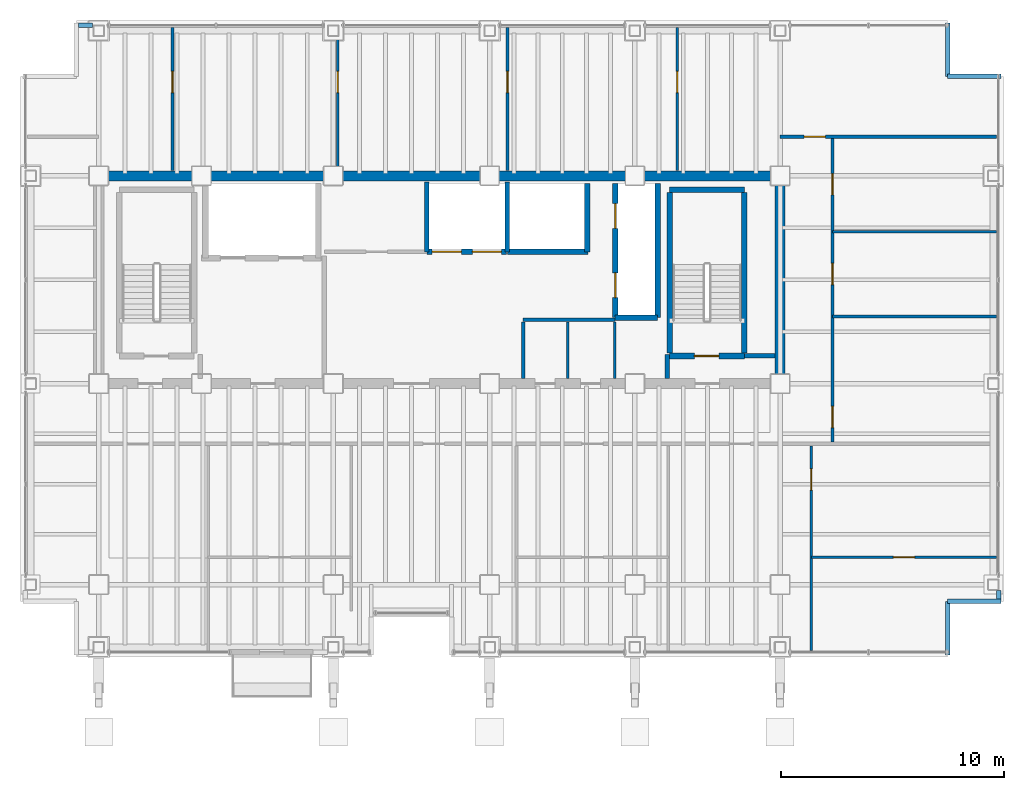
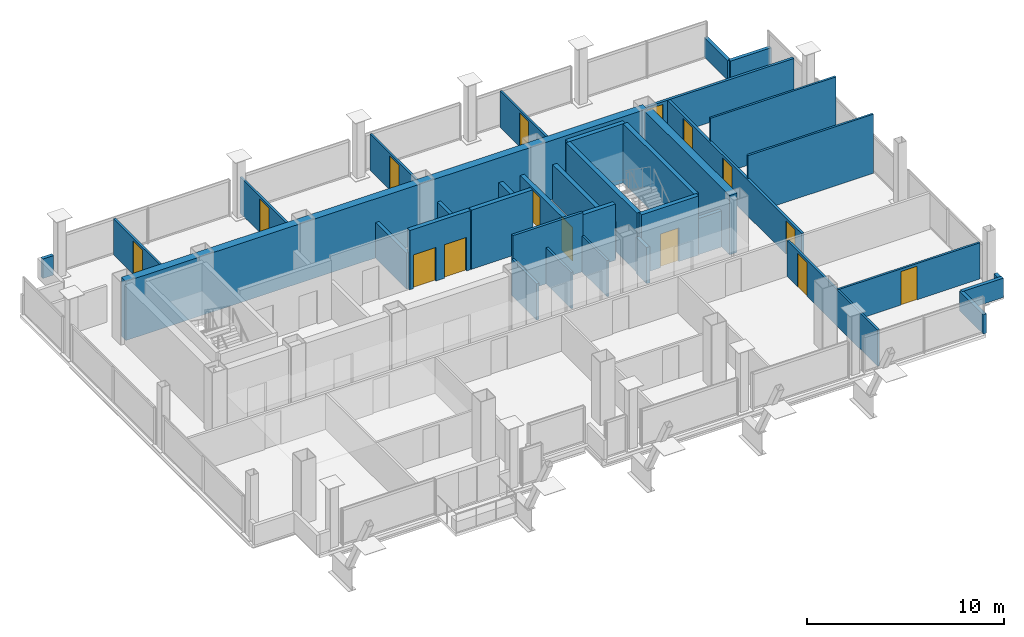
# One storey, part 14 of 16: 36 walls, 15 doors, 15 openings.
"""IFC4 building model written with IfcOpenShell, lengths in metres."""

from ifc_helpers import new_model, si_unit, direction, frame, frame_2d, origin, place, context, subcontext, project, spatial, rectangle, extrude, material, layer, layer_set, type_object, element, fill, save


model = new_model("IFC4")

# Units and contexts
model_context = context("Model", 3, precision=1e-05, world=origin(), true_north=direction((0.0, 1.0)))
body_context = subcontext(model_context, "Body", "Model", "MODEL_VIEW")
ifc_project = project(units=[si_unit("LENGTHUNIT", "METRE"), si_unit("AREAUNIT", "SQUARE_METRE"), si_unit("VOLUMEUNIT", "CUBIC_METRE"), si_unit("PLANEANGLEUNIT", "RADIAN"), si_unit("MASSUNIT", "GRAM", prefix="KILO")], contexts=[model_context])

# Site, building, storey
site_placement = place(None, origin())
site = spatial("IfcSite", under=ifc_project, at=site_placement, CompositionType="ELEMENT")
building_placement = place(site_placement, origin())
building = spatial("IfcBuilding", under=site, at=building_placement, Name="Noeulbin Bourse Tower", CompositionType="ELEMENT")
storey_placement = place(building_placement, frame((0.0, 0.0, 192.89990234375)))
storey = spatial("IfcBuildingStorey", under=building, at=storey_placement, Name="L48", CompositionType="ELEMENT", Elevation=192.89990234375)

# Walls
ifc_material_1 = material(Name="Concrete C50/60", Category="concrete")
ifc_layer_1 = layer(ifc_material_1, 0.449951171875)
ifc_layer_set_1 = layer_set([ifc_layer_1], Name="Concrete C50/60")
wall_type_1 = type_object("IfcWallType", Name="WAL-CORE-450", PredefinedType="SHEAR", material=ifc_layer_set_1)
wall_1_placement = place(storey_placement, frame((13.5, 38.300048828125, 0.0), z_axis=(0.0, 0.0, 1.0), x_axis=(1.0, 0.0, 0.0)))
element("IfcWall", 1, at=wall_1_placement, inside=storey, type_object=wall_type_1, Name="Rear Core North Shear Wall L48", PredefinedType="SHEAR", context=body_context, shape_type="SweptSolid", body=[
    extrude(rectangle(XDim=30.5, YDim=0.449951171875, at=frame_2d((15.25, 0.0))), origin(), (0.0, 0.0, 1.0), 3.66015625),
])
wall_2_placement = place(storey_placement, frame((44.0, 29.35009765625, 0.0), z_axis=(0.0, 0.0, 1.0), x_axis=(0.0, 1.0, 0.0)))
element("IfcWall", 2, at=wall_2_placement, inside=storey, type_object=wall_type_1, Name="Rear Core East Shear Wall L48", PredefinedType="SHEAR", context=body_context, shape_type="SweptSolid", body=[
    extrude(rectangle(XDim=8.599853515625, YDim=0.449951171875, at=frame_2d((4.2998046875, 0.0))), origin(), (0.0, 0.0, 1.0), 3.66015625),
])
ifc_material_2 = material(Name="Concrete C40/50", Category="concrete")
ifc_layer_2 = layer(ifc_material_2, 0.199951171875)
ifc_layer_set_2 = layer_set([ifc_layer_2], Name="Concrete C40/50")
wall_type_2 = type_object("IfcWallType", Name="WAL-FIRE-200", PredefinedType="STANDARD", material=ifc_layer_set_2)
wall_3_placement = place(storey_placement, frame((42.39990234375, 30.239990234375, 0.0), z_axis=(0.0, 0.0, 1.0), x_axis=(1.0, 0.0, 0.0)))
element("IfcWall", 3, at=wall_3_placement, inside=storey, type_object=wall_type_2, Name="Interior Partition Wall L48-01", PredefinedType="STANDARD", context=body_context, shape_type="SweptSolid", body=[
    extrude(rectangle(XDim=1.364990234375, YDim=0.199951171875, at=frame_2d((0.6826171875, 0.0))), origin(), (0.0, 0.0, 1.0), 2.239990234375),
])
wall_4_placement = place(storey_placement, frame((38.949951171875, 29.235107421875, 0.0), z_axis=(0.0, 0.0, 1.0), x_axis=(0.0, 1.0, 0.0)))
element("IfcWall", 4, at=wall_4_placement, inside=storey, type_object=wall_type_2, Name="Interior Partition Wall L48-13", PredefinedType="STANDARD", context=body_context, shape_type="SweptSolid", body=[
    extrude(rectangle(XDim=1.06494140625, YDim=0.199951171875, at=frame_2d((0.532470703125, 0.0))), origin(), (0.0, 0.0, 1.0), 2.239990234375),
])
ifc_layer_3 = layer(ifc_material_2, 0.199951171875)
ifc_layer_set_3 = layer_set([ifc_layer_3], Name="Concrete C40/50")
wall_type_3 = type_object("IfcWallType", Name="WAL-PAR-200", PredefinedType="PARAPET", material=ifc_layer_set_3)
wall_5_placement = place(storey_placement, frame((12.60009765625, 45.030029296875, 0.0), z_axis=(0.0, 0.0, 1.0), x_axis=(1.0, 0.0, 0.0)))
element("IfcWall", 5, at=wall_5_placement, inside=storey, type_object=wall_type_3, Name="Perimeter Pier Spandrel Parapet L48-N1", PredefinedType="PARAPET", context=body_context, shape_type="SweptSolid", body=[
    extrude(rectangle(XDim=0.6298828125, YDim=0.199951171875, at=frame_2d((0.31494140625, 0.0))), origin(), (0.0, 0.0, 1.0), 1.2001953125),
])
wall_6_placement = place(storey_placement, frame((53.780029296875, 19.35009765625, 0.0), z_axis=(0.0, 0.0, 1.0), x_axis=(0.0, 1.0, 0.0)))
element("IfcWall", 6, at=wall_6_placement, inside=storey, type_object=wall_type_3, Name="Perimeter Pier Spandrel Parapet L48-E3", PredefinedType="PARAPET", context=body_context, shape_type="SweptSolid", body=[
    extrude(rectangle(XDim=0.3798828125, YDim=0.199951171875, at=frame_2d((0.18994140625, 0.0))), origin(), (0.0, 0.0, 1.0), 1.2001953125),
])
for number, where, z_axis, x_axis, name in (
    (7, (51.5, 16.85009765625, 0.0), (0.0, 0.0, 1.0), (0.0, 1.0, 0.0), "Corner Notch Parapet L48-SE1"),
    (8, (51.5, 19.25, 0.0), (0.0, 0.0, 1.0), (1.0, 0.0, 0.0), "Corner Notch Parapet L48-SE2"),
    (9, (51.5, 45.14990234375, 0.0), (0.0, 0.0, 1.0), (0.0, -1.0, 0.0), "Corner Notch Parapet L48-NE1"),
    (10, (51.5, 42.75, 0.0), (0.0, 0.0, 1.0), (1.0, 0.0, 0.0), "Corner Notch Parapet L48-NE2"),
):
    element("IfcWall", number, at=place(storey_placement, frame(where, z_axis=z_axis, x_axis=x_axis)), inside=storey, type_object=wall_type_3, Name=name, PredefinedType="PARAPET", context=body_context, shape_type="SweptSolid", body=[
        extrude(rectangle(XDim=2.39990234375, YDim=0.199951171875, at=frame_2d((1.199951171875, 0.0))), origin(), (0.0, 0.0, 1.0), 1.2001953125),
    ])

# Wall, opening, door
ifc_material_3 = material(Name="Steel Stud Gypsum Partition", Category="steel")
ifc_layer_4 = layer(ifc_material_3, 0.1201171875)
ifc_layer_set_4 = layer_set([ifc_layer_4], Name="Steel Stud Gypsum Partition")
wall_type_4 = type_object("IfcWallType", Name="WAL-PRT-120", PredefinedType="PARTITIONING", material=ifc_layer_set_4)
wall_7_placement = place(storey_placement, frame((45.39990234375, 21.218017578125, 0.0), z_axis=(0.0, 0.0, 1.0), x_axis=(1.0, 0.0, 0.0)))
wall_7 = element("IfcWall", 11, at=wall_7_placement, inside=storey, type_object=wall_type_4, Name="Interior Partition Wall L48-07", PredefinedType="PARTITIONING", context=body_context, shape_type="SweptSolid", body=[
    extrude(rectangle(XDim=8.2900390625, YDim=0.1201171875, at=frame_2d((4.14501953125, 0.0))), origin(), (0.0, 0.0, 1.0), 2.239990234375),
])
opening_1_placement = place(wall_7_placement, frame((3.669921875, 0.0, 0.0)))
opening_1 = element("IfcOpeningElement", 12, at=opening_1_placement, cuts=wall_7, Name="Opening ID-09", PredefinedType="OPENING", context=body_context, shape_type="SweptSolid", body=[
    extrude(rectangle(XDim=0.949951171875, YDim=2.080078125, at=frame_2d((0.47509765625, 1.0400390625))), frame((0.0, 0.070068359375, 0.0), z_axis=(0.0, -1.0, 0.0), x_axis=(1.0, 0.0, 0.0)), (0.0, 0.0, 1.0), 0.14013671875),
])
ifc_material_4 = material(Name="Acoustic Solid-Core Timber", Category="wood")
door_type_1 = type_object("IfcDoorType", Name="DR-SINGLE-950", OperationType="SINGLE_SWING_LEFT", PredefinedType="DOOR", material=ifc_material_4)
door_1_placement = place(opening_1_placement, origin())
door_1 = element("IfcDoor", 13, at=door_1_placement, inside=storey, type_object=door_type_1, Name="Interior Door L48-15", OperationType="SINGLE_SWING_LEFT", OverallHeight=2.080078125, OverallWidth=0.949951171875, PredefinedType="DOOR", context=body_context, shape_type="SweptSolid", body=[
    extrude(rectangle(XDim=0.949951171875, YDim=2.080078125, at=frame_2d((0.47509765625, 1.0400390625))), frame((0.0, 0.02490234375, 0.0), z_axis=(0.0, -1.0, 0.0), x_axis=(1.0, 0.0, 0.0)), (0.0, 0.0, 1.0), 0.050048828125),
])
fill(opening_1, door_1)

# Walls
for number, where, z_axis, x_axis, name in (
    (14, (46.35009765625, 32.0, 0.0), (0.0, 0.0, 1.0), (1.0, 0.0, 0.0), "Interior Partition Wall L48-08"),
    (15, (46.35009765625, 35.800048828125, 0.0), (0.0, 0.0, 1.0), (1.0, 0.0, 0.0), "Interior Partition Wall L48-09"),
):
    element("IfcWall", number, at=place(storey_placement, frame(where, z_axis=z_axis, x_axis=x_axis)), inside=storey, type_object=wall_type_4, Name=name, PredefinedType="PARTITIONING", context=body_context, shape_type="SweptSolid", body=[
        extrude(rectangle(XDim=7.33984375, YDim=0.1201171875, at=frame_2d((3.669921875, 0.0))), origin(), (0.0, 0.0, 1.0), 3.66015625),
    ])
for number, where, z_axis, x_axis, name in (
    (16, (36.60009765625, 29.235107421875, 0.0), (0.0, 0.0, 1.0), (0.0, 1.0, 0.0), "Interior Partition Wall L48-16"),
    (17, (34.5, 29.235107421875, 0.0), (0.0, 0.0, 1.0), (0.0, 1.0, 0.0), "Interior Partition Wall L48-17"),
):
    element("IfcWall", number, at=place(storey_placement, frame(where, z_axis=z_axis, x_axis=x_axis)), inside=storey, type_object=wall_type_4, Name=name, PredefinedType="PARTITIONING", context=body_context, shape_type="SweptSolid", body=[
        extrude(rectangle(XDim=2.52978515625, YDim=0.1201171875, at=frame_2d((1.264892578125, 0.0))), origin(), (0.0, 0.0, 1.0), 2.239990234375),
    ])

# Wall, opening, door
wall_8_placement = place(storey_placement, frame((45.39990234375, 17.06005859375, 0.0), z_axis=(0.0, 0.0, 1.0), x_axis=(0.0, 1.0, 0.0)))
wall_8 = element("IfcWall", 18, at=wall_8_placement, inside=storey, type_object=wall_type_4, Name="Interior Partition Wall L48-23", PredefinedType="PARTITIONING", context=body_context, shape_type="SweptSolid", body=[
    extrude(rectangle(XDim=9.155029296875, YDim=0.1201171875, at=frame_2d((4.57763671875, 0.0))), origin(), (0.0, 0.0, 1.0), 2.239990234375),
])
opening_2_placement = place(wall_8_placement, frame((7.1650390625, 0.0, 0.0)))
opening_2 = element("IfcOpeningElement", 19, at=opening_2_placement, cuts=wall_8, Name="Opening ID-09", PredefinedType="OPENING", context=body_context, shape_type="SweptSolid", body=[
    extrude(rectangle(XDim=0.949951171875, YDim=2.080078125, at=frame_2d((0.47509765625, 1.0400390625))), frame((0.0, 0.070068359375, 0.0), z_axis=(0.0, -1.0, 0.0), x_axis=(1.0, 0.0, 0.0)), (0.0, 0.0, 1.0), 0.14013671875),
])
door_2_placement = place(opening_2_placement, origin())
door_2 = element("IfcDoor", 20, at=door_2_placement, inside=storey, type_object=door_type_1, Name="Interior Door L48-16", OperationType="SINGLE_SWING_RIGHT", OverallHeight=2.080078125, OverallWidth=0.949951171875, PredefinedType="DOOR", context=body_context, shape_type="SweptSolid", body=[
    extrude(rectangle(XDim=0.949951171875, YDim=2.080078125, at=frame_2d((0.47509765625, 1.0400390625))), frame((0.0, 0.02490234375, 0.0), z_axis=(0.0, -1.0, 0.0), x_axis=(1.0, 0.0, 0.0)), (0.0, 0.0, 1.0), 0.050048828125),
])
fill(opening_2, door_2)

wall_9_placement = place(storey_placement, frame((16.800048828125, 38.534912109375, 0.0), z_axis=(0.0, 0.0, 1.0), x_axis=(0.0, 1.0, 0.0)))
wall_9 = element("IfcWall", 21, at=wall_9_placement, inside=storey, type_object=wall_type_4, Name="Interior Partition Wall L48-24", PredefinedType="PARTITIONING", context=body_context, shape_type="SweptSolid", body=[
    extrude(rectangle(XDim=6.405029296875, YDim=0.1201171875, at=frame_2d((3.20263671875, 0.0))), origin(), (0.0, 0.0, 1.0), 2.239990234375),
])
opening_3_placement = place(wall_9_placement, frame((3.485107421875, 0.0, 0.0)))
opening_3 = element("IfcOpeningElement", 22, at=opening_3_placement, cuts=wall_9, Name="Opening ID-09", PredefinedType="OPENING", context=body_context, shape_type="SweptSolid", body=[
    extrude(rectangle(XDim=0.949951171875, YDim=2.080078125, at=frame_2d((0.47509765625, 1.0400390625))), frame((0.0, 0.070068359375, 0.0), z_axis=(0.0, -1.0, 0.0), x_axis=(1.0, 0.0, 0.0)), (0.0, 0.0, 1.0), 0.14013671875),
])
door_3_placement = place(opening_3_placement, origin())
door_3 = element("IfcDoor", 23, at=door_3_placement, inside=storey, type_object=door_type_1, Name="Interior Door L48-21", OperationType="SINGLE_SWING_LEFT", OverallHeight=2.080078125, OverallWidth=0.949951171875, PredefinedType="DOOR", context=body_context, shape_type="SweptSolid", body=[
    extrude(rectangle(XDim=0.949951171875, YDim=2.080078125, at=frame_2d((0.47509765625, 1.0400390625))), frame((0.0, 0.02490234375, 0.0), z_axis=(0.0, -1.0, 0.0), x_axis=(1.0, 0.0, 0.0)), (0.0, 0.0, 1.0), 0.050048828125),
])
fill(opening_3, door_3)

wall_10_placement = place(storey_placement, frame((24.199951171875, 38.534912109375, 0.0), z_axis=(0.0, 0.0, 1.0), x_axis=(0.0, 1.0, 0.0)))
wall_10 = element("IfcWall", 24, at=wall_10_placement, inside=storey, type_object=wall_type_4, Name="Interior Partition Wall L48-25", PredefinedType="PARTITIONING", context=body_context, shape_type="SweptSolid", body=[
    extrude(rectangle(XDim=6.405029296875, YDim=0.1201171875, at=frame_2d((3.20263671875, 0.0))), origin(), (0.0, 0.0, 1.0), 2.239990234375),
])
opening_4_placement = place(wall_10_placement, frame((3.485107421875, 0.0, 0.0)))
opening_4 = element("IfcOpeningElement", 25, at=opening_4_placement, cuts=wall_10, Name="Opening ID-09", PredefinedType="OPENING", context=body_context, shape_type="SweptSolid", body=[
    extrude(rectangle(XDim=0.949951171875, YDim=2.080078125, at=frame_2d((0.47509765625, 1.0400390625))), frame((0.0, 0.070068359375, 0.0), z_axis=(0.0, -1.0, 0.0), x_axis=(1.0, 0.0, 0.0)), (0.0, 0.0, 1.0), 0.14013671875),
])
door_4_placement = place(opening_4_placement, origin())
door_4 = element("IfcDoor", 26, at=door_4_placement, inside=storey, type_object=door_type_1, Name="Interior Door L48-22", OperationType="SINGLE_SWING_RIGHT", OverallHeight=2.080078125, OverallWidth=0.949951171875, PredefinedType="DOOR", context=body_context, shape_type="SweptSolid", body=[
    extrude(rectangle(XDim=0.949951171875, YDim=2.080078125, at=frame_2d((0.47509765625, 1.0400390625))), frame((0.0, 0.02490234375, 0.0), z_axis=(0.0, -1.0, 0.0), x_axis=(1.0, 0.0, 0.0)), (0.0, 0.0, 1.0), 0.050048828125),
])
fill(opening_4, door_4)

wall_11_placement = place(storey_placement, frame((31.800048828125, 38.534912109375, 0.0), z_axis=(0.0, 0.0, 1.0), x_axis=(0.0, 1.0, 0.0)))
wall_11 = element("IfcWall", 27, at=wall_11_placement, inside=storey, type_object=wall_type_4, Name="Interior Partition Wall L48-26", PredefinedType="PARTITIONING", context=body_context, shape_type="SweptSolid", body=[
    extrude(rectangle(XDim=6.405029296875, YDim=0.1201171875, at=frame_2d((3.20263671875, 0.0))), origin(), (0.0, 0.0, 1.0), 2.239990234375),
])
opening_5_placement = place(wall_11_placement, frame((3.485107421875, 0.0, 0.0)))
opening_5 = element("IfcOpeningElement", 28, at=opening_5_placement, cuts=wall_11, Name="Opening ID-09", PredefinedType="OPENING", context=body_context, shape_type="SweptSolid", body=[
    extrude(rectangle(XDim=0.949951171875, YDim=2.080078125, at=frame_2d((0.47509765625, 1.0400390625))), frame((0.0, 0.070068359375, 0.0), z_axis=(0.0, -1.0, 0.0), x_axis=(1.0, 0.0, 0.0)), (0.0, 0.0, 1.0), 0.14013671875),
])
door_5_placement = place(opening_5_placement, origin())
door_5 = element("IfcDoor", 29, at=door_5_placement, inside=storey, type_object=door_type_1, Name="Interior Door L48-23", OperationType="SINGLE_SWING_LEFT", OverallHeight=2.080078125, OverallWidth=0.949951171875, PredefinedType="DOOR", context=body_context, shape_type="SweptSolid", body=[
    extrude(rectangle(XDim=0.949951171875, YDim=2.080078125, at=frame_2d((0.47509765625, 1.0400390625))), frame((0.0, 0.02490234375, 0.0), z_axis=(0.0, -1.0, 0.0), x_axis=(1.0, 0.0, 0.0)), (0.0, 0.0, 1.0), 0.050048828125),
])
fill(opening_5, door_5)

wall_12_placement = place(storey_placement, frame((39.39990234375, 38.534912109375, 0.0), z_axis=(0.0, 0.0, 1.0), x_axis=(0.0, 1.0, 0.0)))
wall_12 = element("IfcWall", 30, at=wall_12_placement, inside=storey, type_object=wall_type_4, Name="Interior Partition Wall L48-27", PredefinedType="PARTITIONING", context=body_context, shape_type="SweptSolid", body=[
    extrude(rectangle(XDim=6.405029296875, YDim=0.1201171875, at=frame_2d((3.20263671875, 0.0))), origin(), (0.0, 0.0, 1.0), 2.239990234375),
])
opening_6_placement = place(wall_12_placement, frame((3.485107421875, 0.0, 0.0)))
opening_6 = element("IfcOpeningElement", 31, at=opening_6_placement, cuts=wall_12, Name="Opening ID-09", PredefinedType="OPENING", context=body_context, shape_type="SweptSolid", body=[
    extrude(rectangle(XDim=0.949951171875, YDim=2.080078125, at=frame_2d((0.47509765625, 1.0400390625))), frame((0.0, 0.070068359375, 0.0), z_axis=(0.0, -1.0, 0.0), x_axis=(1.0, 0.0, 0.0)), (0.0, 0.0, 1.0), 0.14013671875),
])
door_6_placement = place(opening_6_placement, origin())
door_6 = element("IfcDoor", 32, at=door_6_placement, inside=storey, type_object=door_type_1, Name="Interior Door L48-24", OperationType="SINGLE_SWING_RIGHT", OverallHeight=2.080078125, OverallWidth=0.949951171875, PredefinedType="DOOR", context=body_context, shape_type="SweptSolid", body=[
    extrude(rectangle(XDim=0.949951171875, YDim=2.080078125, at=frame_2d((0.47509765625, 1.0400390625))), frame((0.0, 0.02490234375, 0.0), z_axis=(0.0, -1.0, 0.0), x_axis=(1.0, 0.0, 0.0)), (0.0, 0.0, 1.0), 0.050048828125),
])
fill(opening_6, door_6)

# Wall
ifc_material_5 = material(Name="Steel Stud Acoustic Gypsum Board", Category="steel")
ifc_layer_5 = layer(ifc_material_5, 0.14990234375)
ifc_layer_set_5 = layer_set([ifc_layer_5], Name="Steel Stud Acoustic Gypsum Board")
wall_type_5 = type_object("IfcWallType", Name="WAL-PRT-150", PredefinedType="PARTITIONING", material=ifc_layer_set_5)
wall_13_placement = place(storey_placement, frame((32.5, 31.85009765625, 0.0), z_axis=(0.0, 0.0, 1.0), x_axis=(1.0, 0.0, 0.0)))
element("IfcWall", 33, at=wall_13_placement, inside=storey, type_object=wall_type_5, Name="Interior Partition Wall L48-03", PredefinedType="PARTITIONING", context=body_context, shape_type="SweptSolid", body=[
    extrude(rectangle(XDim=4.10009765625, YDim=0.14990234375, at=frame_2d((2.050048828125, 0.0))), origin(), (0.0, 0.0, 1.0), 3.66015625),
])

# Wall, opening, door
wall_14_placement = place(storey_placement, frame((44.0, 40.050048828125, 0.0), z_axis=(0.0, 0.0, 1.0), x_axis=(1.0, 0.0, 0.0)))
wall_14 = element("IfcWall", 34, at=wall_14_placement, inside=storey, type_object=wall_type_5, Name="Interior Partition Wall L48-11", PredefinedType="PARTITIONING", context=body_context, shape_type="SweptSolid", body=[
    extrude(rectangle(XDim=9.68994140625, YDim=0.14990234375, at=frame_2d((4.844970703125, 0.0))), origin(), (0.0, 0.0, 1.0), 2.239990234375),
])
opening_7_placement = place(wall_14_placement, frame((1.074951171875, 0.0, 0.0)))
opening_7 = element("IfcOpeningElement", 35, at=opening_7_placement, cuts=wall_14, Name="Opening ID-09", PredefinedType="OPENING", context=body_context, shape_type="SweptSolid", body=[
    extrude(rectangle(XDim=0.949951171875, YDim=2.080078125, at=frame_2d((0.47509765625, 1.0400390625))), frame((0.0, 0.0849609375, 0.0), z_axis=(0.0, -1.0, 0.0), x_axis=(1.0, 0.0, 0.0)), (0.0, 0.0, 1.0), 0.169921875),
])
door_7_placement = place(opening_7_placement, origin())
door_7 = element("IfcDoor", 36, at=door_7_placement, inside=storey, type_object=door_type_1, Name="Interior Door L48-20", OperationType="SINGLE_SWING_RIGHT", OverallHeight=2.080078125, OverallWidth=0.949951171875, PredefinedType="DOOR", context=body_context, shape_type="SweptSolid", body=[
    extrude(rectangle(XDim=0.949951171875, YDim=2.080078125, at=frame_2d((0.47509765625, 1.0400390625))), frame((0.0, 0.02490234375, 0.0), z_axis=(0.0, -1.0, 0.0), x_axis=(1.0, 0.0, 0.0)), (0.0, 0.0, 1.0), 0.050048828125),
])
fill(opening_7, door_7)

# Wall
wall_15_placement = place(storey_placement, frame((32.5, 29.235107421875, 0.0), z_axis=(0.0, 0.0, 1.0), x_axis=(0.0, 1.0, 0.0)))
element("IfcWall", 37, at=wall_15_placement, inside=storey, type_object=wall_type_5, Name="Interior Partition Wall L48-15", PredefinedType="PARTITIONING", context=body_context, shape_type="SweptSolid", body=[
    extrude(rectangle(XDim=2.52978515625, YDim=0.14990234375, at=frame_2d((1.264892578125, 0.0))), origin(), (0.0, 0.0, 1.0), 2.239990234375),
])

# Wall, openings, doors
wall_16_placement = place(storey_placement, frame((46.35009765625, 26.385009765625, 0.0), z_axis=(0.0, 0.0, 1.0), x_axis=(0.0, 1.0, 0.0)))
wall_16 = element("IfcWall", 38, at=wall_16_placement, inside=storey, type_object=wall_type_5, Name="Interior Partition Wall L48-18", PredefinedType="PARTITIONING", context=body_context, shape_type="SweptSolid", body=[
    extrude(rectangle(XDim=13.580078125, YDim=0.14990234375, at=frame_2d((6.7900390625, 0.0))), origin(), (0.0, 0.0, 1.0), 2.239990234375),
])
opening_8_placement = place(wall_16_placement, frame((0.639892578125, 0.0, 0.0)))
opening_8 = element("IfcOpeningElement", 39, at=opening_8_placement, cuts=wall_16, Name="Opening ID-09", PredefinedType="OPENING", context=body_context, shape_type="SweptSolid", body=[
    extrude(rectangle(XDim=0.949951171875, YDim=2.080078125, at=frame_2d((0.47509765625, 1.0400390625))), frame((0.0, 0.0849609375, 0.0), z_axis=(0.0, -1.0, 0.0), x_axis=(1.0, 0.0, 0.0)), (0.0, 0.0, 1.0), 0.169921875),
])
opening_9_placement = place(wall_16_placement, frame((7.0400390625, 0.0, 0.0)))
opening_9 = element("IfcOpeningElement", 40, at=opening_9_placement, cuts=wall_16, Name="Opening ID-09", PredefinedType="OPENING", context=body_context, shape_type="SweptSolid", body=[
    extrude(rectangle(XDim=0.949951171875, YDim=2.080078125, at=frame_2d((0.47509765625, 1.0400390625))), frame((0.0, 0.0849609375, 0.0), z_axis=(0.0, -1.0, 0.0), x_axis=(1.0, 0.0, 0.0)), (0.0, 0.0, 1.0), 0.169921875),
])
opening_10_placement = place(wall_16_placement, frame((11.06494140625, 0.0, 0.0)))
opening_10 = element("IfcOpeningElement", 41, at=opening_10_placement, cuts=wall_16, Name="Opening ID-09", PredefinedType="OPENING", context=body_context, shape_type="SweptSolid", body=[
    extrude(rectangle(XDim=0.949951171875, YDim=2.080078125, at=frame_2d((0.47509765625, 1.0400390625))), frame((0.0, 0.0849609375, 0.0), z_axis=(0.0, -1.0, 0.0), x_axis=(1.0, 0.0, 0.0)), (0.0, 0.0, 1.0), 0.169921875),
])
door_8_placement = place(opening_8_placement, origin())
door_8 = element("IfcDoor", 42, at=door_8_placement, inside=storey, type_object=door_type_1, Name="Interior Door L48-17", OperationType="SINGLE_SWING_LEFT", OverallHeight=2.080078125, OverallWidth=0.949951171875, PredefinedType="DOOR", context=body_context, shape_type="SweptSolid", body=[
    extrude(rectangle(XDim=0.949951171875, YDim=2.080078125, at=frame_2d((0.47509765625, 1.0400390625))), frame((0.0, 0.02490234375, 0.0), z_axis=(0.0, -1.0, 0.0), x_axis=(1.0, 0.0, 0.0)), (0.0, 0.0, 1.0), 0.050048828125),
])
fill(opening_8, door_8)
door_9_placement = place(opening_9_placement, origin())
door_9 = element("IfcDoor", 43, at=door_9_placement, inside=storey, type_object=door_type_1, Name="Interior Door L48-18", OperationType="SINGLE_SWING_RIGHT", OverallHeight=2.080078125, OverallWidth=0.949951171875, PredefinedType="DOOR", context=body_context, shape_type="SweptSolid", body=[
    extrude(rectangle(XDim=0.949951171875, YDim=2.080078125, at=frame_2d((0.47509765625, 1.0400390625))), frame((0.0, 0.02490234375, 0.0), z_axis=(0.0, -1.0, 0.0), x_axis=(1.0, 0.0, 0.0)), (0.0, 0.0, 1.0), 0.050048828125),
])
fill(opening_9, door_9)
door_10_placement = place(opening_10_placement, origin())
door_10 = element("IfcDoor", 44, at=door_10_placement, inside=storey, type_object=door_type_1, Name="Interior Door L48-19", OperationType="SINGLE_SWING_LEFT", OverallHeight=2.080078125, OverallWidth=0.949951171875, PredefinedType="DOOR", context=body_context, shape_type="SweptSolid", body=[
    extrude(rectangle(XDim=0.949951171875, YDim=2.080078125, at=frame_2d((0.47509765625, 1.0400390625))), frame((0.0, 0.02490234375, 0.0), z_axis=(0.0, -1.0, 0.0), x_axis=(1.0, 0.0, 0.0)), (0.0, 0.0, 1.0), 0.050048828125),
])
fill(opening_10, door_10)

# Wall, opening, door
ifc_layer_6 = layer(ifc_material_2, 0.25)
ifc_layer_set_6 = layer_set([ifc_layer_6], Name="Concrete C40/50")
wall_type_6 = type_object("IfcWallType", Name="WAL-SHFT-250", PredefinedType="STANDARD", material=ifc_layer_set_6)
wall_17_placement = place(storey_placement, frame((39.06005859375, 30.235107421875, 0.0), z_axis=(0.0, 0.0, 1.0), x_axis=(1.0, 0.0, 0.0)))
wall_17 = element("IfcWall", 45, at=wall_17_placement, inside=storey, type_object=wall_type_6, Name="Stair ST-2 South Shaft Wall L48", PredefinedType="STANDARD", context=body_context, shape_type="SweptSolid", body=[
    extrude(rectangle(XDim=3.33984375, YDim=0.25, at=frame_2d((1.669921875, 0.0))), origin(), (0.0, 0.0, 1.0), 3.66015625),
])
opening_11_placement = place(wall_17_placement, frame((1.10009765625, 0.0, 0.0)))
opening_11 = element("IfcOpeningElement", 46, at=opening_11_placement, cuts=wall_17, Name="Opening FD-11", PredefinedType="OPENING", context=body_context, shape_type="SweptSolid", body=[
    extrude(rectangle(XDim=1.10009765625, YDim=2.080078125, at=frame_2d((0.550048828125, 1.0400390625))), frame((0.0, 0.135009765625, 0.0), z_axis=(0.0, -1.0, 0.0), x_axis=(1.0, 0.0, 0.0)), (0.0, 0.0, 1.0), 0.27001953125),
])
ifc_material_6 = material(Name="Fire-Rated Insulated Steel", Category="steel")
door_type_2 = type_object("IfcDoorType", Name="DR-FD60-1100", OperationType="SINGLE_SWING_LEFT", PredefinedType="DOOR", material=ifc_material_6)
door_11_placement = place(opening_11_placement, origin())
door_11 = element("IfcDoor", 47, at=door_11_placement, inside=storey, type_object=door_type_2, Name="Protected Stair Entry Door ST2-L48", OperationType="SINGLE_SWING_RIGHT", OverallHeight=2.080078125, OverallWidth=1.10009765625, PredefinedType="DOOR", context=body_context, shape_type="SweptSolid", body=[
    extrude(rectangle(XDim=1.10009765625, YDim=2.080078125, at=frame_2d((0.550048828125, 1.0400390625))), frame((0.0, 0.02490234375, 0.0), z_axis=(0.0, -1.0, 0.0), x_axis=(1.0, 0.0, 0.0)), (0.0, 0.0, 1.0), 0.050048828125),
])
fill(opening_11, door_11)

# Walls
wall_18_placement = place(storey_placement, frame((39.06005859375, 37.6689453125, 0.0), z_axis=(0.0, 0.0, 1.0), x_axis=(1.0, 0.0, 0.0)))
element("IfcWall", 48, at=wall_18_placement, inside=storey, type_object=wall_type_6, Name="Stair ST-2 North Shaft Wall L48", PredefinedType="STANDARD", context=body_context, shape_type="SweptSolid", body=[
    extrude(rectangle(XDim=3.33984375, YDim=0.25, at=frame_2d((1.669921875, 0.0))), origin(), (0.0, 0.0, 1.0), 3.66015625),
])
for number, where, z_axis, x_axis, name in (
    (49, (39.054931640625, 30.360107421875, 0.0), (0.0, 0.0, 1.0), (0.0, 1.0, 0.0), "Stair ST-2 West Shaft Wall L48"),
    (50, (42.405029296875, 30.360107421875, 0.0), (0.0, 0.0, 1.0), (0.0, 1.0, 0.0), "Stair ST-2 East Shaft Wall L48"),
):
    element("IfcWall", number, at=place(storey_placement, frame(where, z_axis=z_axis, x_axis=x_axis)), inside=storey, type_object=wall_type_6, Name=name, PredefinedType="STANDARD", context=body_context, shape_type="SweptSolid", body=[
        extrude(rectangle(XDim=7.183837890625, YDim=0.25, at=frame_2d((3.591796875, 0.0))), origin(), (0.0, 0.0, 1.0), 3.66015625),
    ])

# Wall, openings, doors
wall_19_placement = place(storey_placement, frame((36.6201171875, 31.949951171875, 0.0), z_axis=(0.0, 0.0, 1.0), x_axis=(0.0, 1.0, 0.0)))
wall_19 = element("IfcWall", 51, at=wall_19_placement, inside=storey, type_object=wall_type_6, Name="Service Lift Shaft Wall L48", PredefinedType="STANDARD", context=body_context, shape_type="SweptSolid", body=[
    extrude(rectangle(XDim=6.0, YDim=0.25, at=frame_2d((3.0, 0.0))), origin(), (0.0, 0.0, 1.0), 2.239990234375),
])
opening_12_placement = place(wall_19_placement, frame((0.89990234375, 0.0, 0.0)))
opening_12 = element("IfcOpeningElement", 52, at=opening_12_placement, cuts=wall_19, Name="Opening LD-11", PredefinedType="OPENING", context=body_context, shape_type="SweptSolid", body=[
    extrude(rectangle(XDim=1.10009765625, YDim=2.080078125, at=frame_2d((0.550048828125, 1.0400390625))), frame((0.0, 0.135009765625, 0.0), z_axis=(0.0, -1.0, 0.0), x_axis=(1.0, 0.0, 0.0)), (0.0, 0.0, 1.0), 0.27001953125),
])
opening_13_placement = place(wall_19_placement, frame((4.0, 0.0, 0.0)))
opening_13 = element("IfcOpeningElement", 53, at=opening_13_placement, cuts=wall_19, Name="Opening LD-11", PredefinedType="OPENING", context=body_context, shape_type="SweptSolid", body=[
    extrude(rectangle(XDim=1.10009765625, YDim=2.080078125, at=frame_2d((0.550048828125, 1.0400390625))), frame((0.0, 0.135009765625, 0.0), z_axis=(0.0, -1.0, 0.0), x_axis=(1.0, 0.0, 0.0)), (0.0, 0.0, 1.0), 0.27001953125),
])
ifc_material_7 = material(Name="Brushed Stainless Steel 316", Category="steel")
door_type_3 = type_object("IfcDoorType", Name="DR-LIFT-1100", OperationType="SLIDING_TO_LEFT", PredefinedType="DOOR", material=ifc_material_7)
door_12_placement = place(opening_12_placement, origin())
door_12 = element("IfcDoor", 54, at=door_12_placement, inside=storey, type_object=door_type_3, Name="Lift Landing Door LD-EL-01-L48", OperationType="SLIDING_TO_LEFT", OverallHeight=2.080078125, OverallWidth=1.10009765625, PredefinedType="DOOR", context=body_context, shape_type="SweptSolid", body=[
    extrude(rectangle(XDim=1.10009765625, YDim=2.080078125, at=frame_2d((0.550048828125, 1.0400390625))), frame((0.0, 0.02490234375, 0.0), z_axis=(0.0, -1.0, 0.0), x_axis=(1.0, 0.0, 0.0)), (0.0, 0.0, 1.0), 0.050048828125),
])
fill(opening_12, door_12)
door_13_placement = place(opening_13_placement, origin())
door_13 = element("IfcDoor", 55, at=door_13_placement, inside=storey, type_object=door_type_3, Name="Lift Landing Door LD-SV-01-L48", OperationType="SLIDING_TO_LEFT", OverallHeight=2.080078125, OverallWidth=1.10009765625, PredefinedType="DOOR", context=body_context, shape_type="SweptSolid", body=[
    extrude(rectangle(XDim=1.10009765625, YDim=2.080078125, at=frame_2d((0.550048828125, 1.0400390625))), frame((0.0, 0.02490234375, 0.0), z_axis=(0.0, -1.0, 0.0), x_axis=(1.0, 0.0, 0.0)), (0.0, 0.0, 1.0), 0.050048828125),
])
fill(opening_13, door_13)

# Walls
wall_20_placement = place(storey_placement, frame((38.52001953125, 31.949951171875, 0.0), z_axis=(0.0, 0.0, 1.0), x_axis=(0.0, 1.0, 0.0)))
element("IfcWall", 56, at=wall_20_placement, inside=storey, type_object=wall_type_6, Name="Service Lift East Shaft Wall L48", PredefinedType="STANDARD", context=body_context, shape_type="SweptSolid", body=[
    extrude(rectangle(XDim=6.0, YDim=0.25, at=frame_2d((3.0, 0.0))), origin(), (0.0, 0.0, 1.0), 2.239990234375),
])
wall_21_placement = place(storey_placement, frame((36.6201171875, 31.949951171875, 0.0), z_axis=(0.0, 0.0, 1.0), x_axis=(1.0, 0.0, 0.0)))
element("IfcWall", 57, at=wall_21_placement, inside=storey, type_object=wall_type_6, Name="Service Lift South Shaft Wall L48", PredefinedType="STANDARD", context=body_context, shape_type="SweptSolid", body=[
    extrude(rectangle(XDim=1.89990234375, YDim=0.25, at=frame_2d((0.949951171875, 0.0))), origin(), (0.0, 0.0, 1.0), 3.47998046875),
])
wall_22_placement = place(storey_placement, frame((35.360107421875, 34.89990234375, 0.0), z_axis=(0.0, 0.0, 1.0), x_axis=(0.0, 1.0, 0.0)))
element("IfcWall", 58, at=wall_22_placement, inside=storey, type_object=wall_type_6, Name="High-Rise Lift East Shaft Wall L48", PredefinedType="STANDARD", context=body_context, shape_type="SweptSolid", body=[
    extrude(rectangle(XDim=3.050048828125, YDim=0.25, at=frame_2d((1.52490234375, 0.0))), origin(), (0.0, 0.0, 1.0), 2.239990234375),
])

# Wall, openings, doors
wall_23_placement = place(storey_placement, frame((28.199951171875, 34.89990234375, 0.0), z_axis=(0.0, 0.0, 1.0), x_axis=(1.0, 0.0, 0.0)))
wall_23 = element("IfcWall", 59, at=wall_23_placement, inside=storey, type_object=wall_type_6, Name="Mid-Rise Lift Bank Front L48", PredefinedType="STANDARD", context=body_context, shape_type="SweptSolid", body=[
    extrude(rectangle(XDim=3.550048828125, YDim=0.25, at=frame_2d((1.77490234375, 0.0))), origin(), (0.0, 0.0, 1.0), 3.66015625),
])
opening_14_placement = place(wall_23_placement, frame((0.22998046875, 0.0, 0.0)))
opening_14 = element("IfcOpeningElement", 60, at=opening_14_placement, cuts=wall_23, Name="Opening LD-13", PredefinedType="OPENING", context=body_context, shape_type="SweptSolid", body=[
    extrude(rectangle(XDim=1.300048828125, YDim=2.080078125, at=frame_2d((0.64990234375, 1.0400390625))), frame((0.0, 0.135009765625, 0.0), z_axis=(0.0, -1.0, 0.0), x_axis=(1.0, 0.0, 0.0)), (0.0, 0.0, 1.0), 0.27001953125),
])
opening_15_placement = place(wall_23_placement, frame((2.030029296875, 0.0, 0.0)))
opening_15 = element("IfcOpeningElement", 61, at=opening_15_placement, cuts=wall_23, Name="Opening LD-13", PredefinedType="OPENING", context=body_context, shape_type="SweptSolid", body=[
    extrude(rectangle(XDim=1.300048828125, YDim=2.080078125, at=frame_2d((0.64990234375, 1.0400390625))), frame((0.0, 0.135009765625, 0.0), z_axis=(0.0, -1.0, 0.0), x_axis=(1.0, 0.0, 0.0)), (0.0, 0.0, 1.0), 0.27001953125),
])
door_type_4 = type_object("IfcDoorType", Name="DR-LIFT-1300", OperationType="DOUBLE_DOOR_SLIDING", PredefinedType="DOOR", material=ifc_material_7)
door_14_placement = place(opening_14_placement, origin())
door_14 = element("IfcDoor", 62, at=door_14_placement, inside=storey, type_object=door_type_4, Name="Lift Landing Door LD-PL-M1-L48", OperationType="DOUBLE_DOOR_SLIDING", OverallHeight=2.080078125, OverallWidth=1.300048828125, PredefinedType="DOOR", context=body_context, shape_type="SweptSolid", body=[
    extrude(rectangle(XDim=1.300048828125, YDim=2.080078125, at=frame_2d((0.64990234375, 1.0400390625))), frame((0.0, 0.02490234375, 0.0), z_axis=(0.0, -1.0, 0.0), x_axis=(1.0, 0.0, 0.0)), (0.0, 0.0, 1.0), 0.050048828125),
])
fill(opening_14, door_14)
door_15_placement = place(opening_15_placement, origin())
door_15 = element("IfcDoor", 63, at=door_15_placement, inside=storey, type_object=door_type_4, Name="Lift Landing Door LD-PL-M2-L48", OperationType="DOUBLE_DOOR_SLIDING", OverallHeight=2.080078125, OverallWidth=1.300048828125, PredefinedType="DOOR", context=body_context, shape_type="SweptSolid", body=[
    extrude(rectangle(XDim=1.300048828125, YDim=2.080078125, at=frame_2d((0.64990234375, 1.0400390625))), frame((0.0, 0.02490234375, 0.0), z_axis=(0.0, -1.0, 0.0), x_axis=(1.0, 0.0, 0.0)), (0.0, 0.0, 1.0), 0.050048828125),
])
fill(opening_15, door_15)

# Walls
wall_24_placement = place(storey_placement, frame((31.800048828125, 34.89990234375, 0.0), z_axis=(0.0, 0.0, 1.0), x_axis=(1.0, 0.0, 0.0)))
element("IfcWall", 64, at=wall_24_placement, inside=storey, type_object=wall_type_6, Name="High-Rise Lift Bank Front L48", PredefinedType="STANDARD", context=body_context, shape_type="SweptSolid", body=[
    extrude(rectangle(XDim=3.599853515625, YDim=0.25, at=frame_2d((1.7998046875, 0.0))), origin(), (0.0, 0.0, 1.0), 3.66015625),
])
for number, where, z_axis, x_axis, name in (
    (65, (28.179931640625, 34.89990234375, 0.0), (0.0, 0.0, 1.0), (0.0, 1.0, 0.0), "Hoistway Side Shaft Wall L48-PLMW"),
    (66, (31.780029296875, 34.89990234375, 0.0), (0.0, 0.0, 1.0), (0.0, 1.0, 0.0), "Hoistway Side Shaft Wall L48-PLHW"),
):
    element("IfcWall", number, at=place(storey_placement, frame(where, z_axis=z_axis, x_axis=x_axis)), inside=storey, type_object=wall_type_6, Name=name, PredefinedType="STANDARD", context=body_context, shape_type="SweptSolid", body=[
        extrude(rectangle(XDim=3.1201171875, YDim=0.199951171875, at=frame_2d((1.56005859375, 0.0))), origin(), (0.0, 0.0, 1.0), 2.239990234375),
    ])

save(model, "model.ifc")
